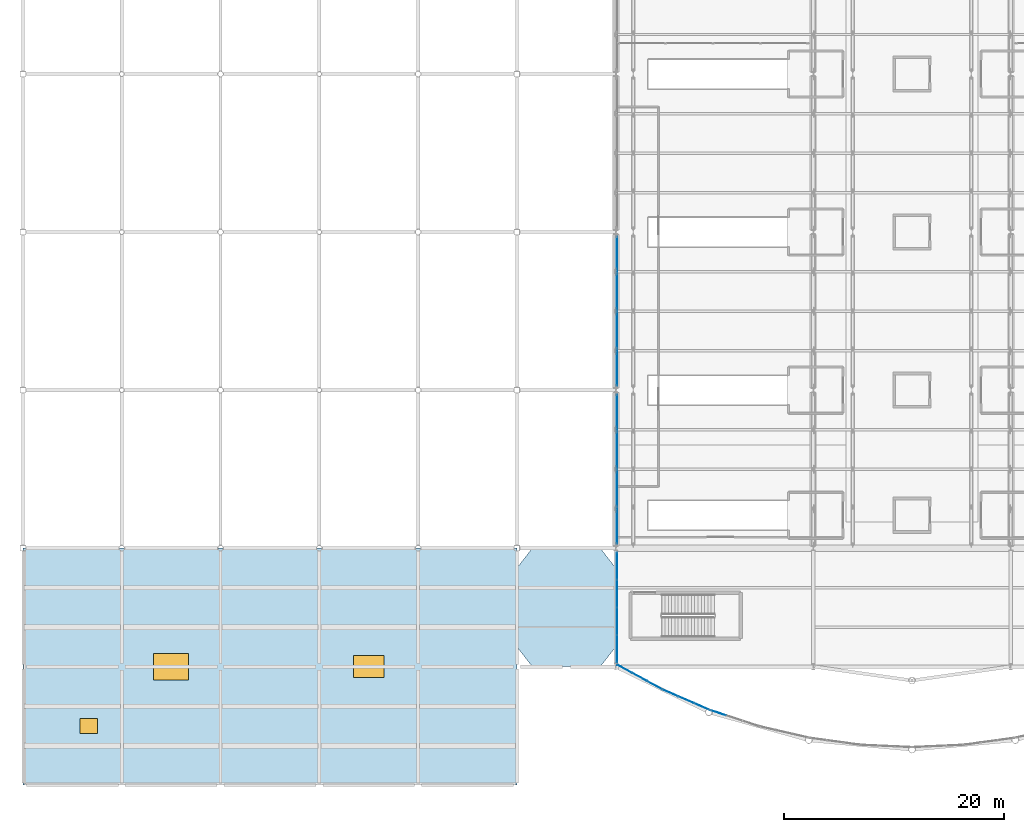
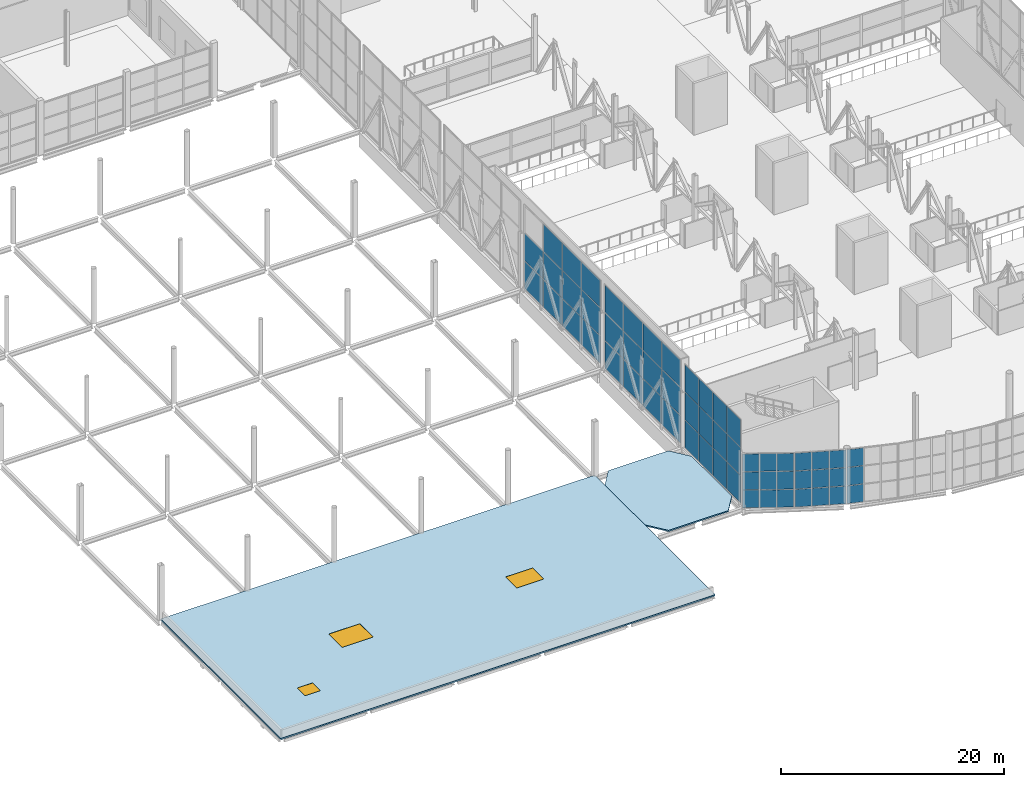
# One storey, part 148 of 191: 56 plates, 3 windows, 2 slabs, 3 openings, 6 elements without a shape of their own.
"""IFC4 building model written with IfcOpenShell, lengths in metres."""

from ifc_helpers import new_model, si_unit, direction, frame, origin, origin_2d, place, context, subcontext, project, spatial, polyline, rectangle, outline, extrude, material, layer, layer_set, type_object, element, fill, aggregate, save


model = new_model("IFC4")

# Units and contexts
model_context = context("Model", 3, precision=1e-05, world=origin(), true_north=direction((0.0, 1.0)))
body_context = subcontext(model_context, "Body", "Model", "MODEL_VIEW")
ifc_project = project(units=[si_unit("LENGTHUNIT", "METRE"), si_unit("AREAUNIT", "SQUARE_METRE"), si_unit("VOLUMEUNIT", "CUBIC_METRE"), si_unit("PLANEANGLEUNIT", "RADIAN"), si_unit("MASSUNIT", "GRAM", prefix="KILO")], contexts=[model_context])

# Site, building, storey
site_placement = place(None, origin())
site = spatial("IfcSite", under=ifc_project, at=site_placement, CompositionType="ELEMENT")
building_placement = place(site_placement, origin())
building = spatial("IfcBuilding", under=site, at=building_placement, Name="Tamarisk Ironworks Central Station", CompositionType="ELEMENT")
storey_placement = place(building_placement, frame((0.0, 0.0, 6.60009765625)))
storey = spatial("IfcBuildingStorey", under=building, at=storey_placement, Name="L01", CompositionType="ELEMENT", Elevation=6.60009765625)

# Curtain wall, plates
ifc_material_1 = material(Name="Anodized aluminium alloy 6063-T6", Category="aluminium")
ifc_layer_1 = layer(ifc_material_1, 0.179931640625)
ifc_layer_set_1 = layer_set([ifc_layer_1], Name="Anodized aluminium alloy 6063-T6")
curtain_wall_type_1 = type_object("IfcCurtainWallType", Name="CW-02", PredefinedType="USERDEFINED", material=ifc_layer_set_1)
curtain_wall_1_placement = place(storey_placement, origin())
curtain_wall_1 = element("IfcCurtainWall", 1, at=curtain_wall_1_placement, inside=storey, type_object=curtain_wall_type_1, Name="SN rounded entrance hall L01 curtain wall bay 01", ObjectType="GLAZED CURTAIN WALL", PredefinedType="USERDEFINED")
ifc_material_2 = material(Name="Laminated solar-control low-E glass", Category="glass")
ifc_layer_2 = layer(ifc_material_2, 0.028076171875)
ifc_layer_set_2 = layer_set([ifc_layer_2], Name="Laminated solar-control low-E glass")
plate_type = type_object("IfcPlateType", Name="PL-CWP28", PredefinedType="CURTAIN_PANEL", material=ifc_layer_set_2)
plate_1_placement = place(storey_placement, frame((54.817626953125, 10.603271484375, -0.3310546875), z_axis=(0.0, 0.0, 1.0), x_axis=(0.877374910495, -0.47980544644, 0.0)))
plate_1 = element("IfcPlate", 2, at=plate_1_placement, type_object=plate_type, Name="CW02 panel 1.1", PredefinedType="CURTAIN_PANEL", context=body_context, shape_type="SweptSolid", body=[
    extrude(rectangle(XDim=1.491943359375, YDim=0.028076171875, at=origin_2d()), origin(), (0.0, 0.0, 1.0), 1.923583984375),
])
plate_2_placement = place(storey_placement, frame((54.817626953125, 10.603271484375, 1.640625), z_axis=(0.0, 0.0, 1.0), x_axis=(0.877374910495, -0.47980544644, 0.0)))
plate_2 = element("IfcPlate", 3, at=plate_2_placement, type_object=plate_type, Name="CW02 panel 1.2", PredefinedType="CURTAIN_PANEL", context=body_context, shape_type="SweptSolid", body=[
    extrude(rectangle(XDim=1.491943359375, YDim=0.028076171875, at=origin_2d()), origin(), (0.0, 0.0, 1.0), 1.95361328125),
])
plate_3_placement = place(storey_placement, frame((54.817626953125, 10.603271484375, 3.64208984375), z_axis=(0.0, 0.0, 1.0), x_axis=(0.877374910495, -0.47980544644, 0.0)))
plate_3 = element("IfcPlate", 4, at=plate_3_placement, type_object=plate_type, Name="CW02 panel 1.3", PredefinedType="CURTAIN_PANEL", context=body_context, shape_type="SweptSolid", body=[
    extrude(rectangle(XDim=1.491943359375, YDim=0.028076171875, at=origin_2d()), origin(), (0.0, 0.0, 1.0), 1.923583984375),
])
plate_4_placement = place(storey_placement, frame((56.181640625, 9.857177734375, -0.3310546875), z_axis=(0.0, 0.0, 1.0), x_axis=(0.877374910495, -0.47980544644, 0.0)))
plate_4 = element("IfcPlate", 5, at=plate_4_placement, type_object=plate_type, Name="CW02 panel 2.1", PredefinedType="CURTAIN_PANEL", context=body_context, shape_type="SweptSolid", body=[
    extrude(rectangle(XDim=1.52197265625, YDim=0.028076171875, at=origin_2d()), origin(), (0.0, 0.0, 1.0), 1.923583984375),
])
plate_5_placement = place(storey_placement, frame((56.181640625, 9.857177734375, 1.640625), z_axis=(0.0, 0.0, 1.0), x_axis=(0.877374910495, -0.47980544644, 0.0)))
plate_5 = element("IfcPlate", 6, at=plate_5_placement, type_object=plate_type, Name="CW02 panel 2.2", PredefinedType="CURTAIN_PANEL", context=body_context, shape_type="SweptSolid", body=[
    extrude(rectangle(XDim=1.52197265625, YDim=0.028076171875, at=origin_2d()), origin(), (0.0, 0.0, 1.0), 1.95361328125),
])
plate_6_placement = place(storey_placement, frame((56.181640625, 9.857177734375, 3.64208984375), z_axis=(0.0, 0.0, 1.0), x_axis=(0.877374910495, -0.47980544644, 0.0)))
plate_6 = element("IfcPlate", 7, at=plate_6_placement, type_object=plate_type, Name="CW02 panel 2.3", PredefinedType="CURTAIN_PANEL", context=body_context, shape_type="SweptSolid", body=[
    extrude(rectangle(XDim=1.52197265625, YDim=0.028076171875, at=origin_2d()), origin(), (0.0, 0.0, 1.0), 1.923583984375),
])
plate_7_placement = place(storey_placement, frame((57.5458984375, 9.111328125, -0.3310546875), z_axis=(0.0, 0.0, 1.0), x_axis=(0.877374910495, -0.47980544644, 0.0)))
plate_7 = element("IfcPlate", 8, at=plate_7_placement, type_object=plate_type, Name="CW02 panel 3.1", PredefinedType="CURTAIN_PANEL", context=body_context, shape_type="SweptSolid", body=[
    extrude(rectangle(XDim=1.491943359375, YDim=0.028076171875, at=origin_2d()), origin(), (0.0, 0.0, 1.0), 1.923583984375),
])
plate_8_placement = place(storey_placement, frame((57.5458984375, 9.111328125, 1.640625), z_axis=(0.0, 0.0, 1.0), x_axis=(0.877374910495, -0.47980544644, 0.0)))
plate_8 = element("IfcPlate", 9, at=plate_8_placement, type_object=plate_type, Name="CW02 panel 3.2", PredefinedType="CURTAIN_PANEL", context=body_context, shape_type="SweptSolid", body=[
    extrude(rectangle(XDim=1.491943359375, YDim=0.028076171875, at=origin_2d()), origin(), (0.0, 0.0, 1.0), 1.95361328125),
])
plate_9_placement = place(storey_placement, frame((57.5458984375, 9.111328125, 3.64208984375), z_axis=(0.0, 0.0, 1.0), x_axis=(0.877374910495, -0.47980544644, 0.0)))
plate_9 = element("IfcPlate", 10, at=plate_9_placement, type_object=plate_type, Name="CW02 panel 3.3", PredefinedType="CURTAIN_PANEL", context=body_context, shape_type="SweptSolid", body=[
    extrude(rectangle(XDim=1.491943359375, YDim=0.028076171875, at=origin_2d()), origin(), (0.0, 0.0, 1.0), 1.923583984375),
])
aggregate(curtain_wall_1, [plate_1, plate_2, plate_3, plate_4, plate_5, plate_6, plate_7, plate_8, plate_9])

curtain_wall_2_placement = place(storey_placement, origin())
curtain_wall_2 = element("IfcCurtainWall", 11, at=curtain_wall_2_placement, inside=storey, type_object=curtain_wall_type_1, Name="SN rounded entrance hall L01 curtain wall bay 02", ObjectType="GLAZED CURTAIN WALL", PredefinedType="USERDEFINED")
plate_10_placement = place(storey_placement, frame((58.981689453125, 8.408935546875, -0.3310546875), z_axis=(0.0, 0.0, 1.0), x_axis=(0.917352033503, -0.398076935564, 0.0)))
plate_10 = element("IfcPlate", 12, at=plate_10_placement, type_object=plate_type, Name="CW02 panel 1.1", PredefinedType="CURTAIN_PANEL", context=body_context, shape_type="SweptSolid", body=[
    extrude(rectangle(XDim=1.491943359375, YDim=0.028076171875, at=origin_2d()), origin(), (0.0, 0.0, 1.0), 1.923583984375),
])
plate_11_placement = place(storey_placement, frame((58.981689453125, 8.408935546875, 1.640625), z_axis=(0.0, 0.0, 1.0), x_axis=(0.917352033503, -0.398076935564, 0.0)))
plate_11 = element("IfcPlate", 13, at=plate_11_placement, type_object=plate_type, Name="CW02 panel 1.2", PredefinedType="CURTAIN_PANEL", context=body_context, shape_type="SweptSolid", body=[
    extrude(rectangle(XDim=1.491943359375, YDim=0.028076171875, at=origin_2d()), origin(), (0.0, 0.0, 1.0), 1.95361328125),
])
plate_12_placement = place(storey_placement, frame((58.981689453125, 8.408935546875, 3.64208984375), z_axis=(0.0, 0.0, 1.0), x_axis=(0.917352033503, -0.398076935564, 0.0)))
plate_12 = element("IfcPlate", 14, at=plate_12_placement, type_object=plate_type, Name="CW02 panel 1.3", PredefinedType="CURTAIN_PANEL", context=body_context, shape_type="SweptSolid", body=[
    extrude(rectangle(XDim=1.491943359375, YDim=0.028076171875, at=origin_2d()), origin(), (0.0, 0.0, 1.0), 1.923583984375),
])
plate_13_placement = place(storey_placement, frame((60.407958984375, 7.7900390625, -0.3310546875), z_axis=(0.0, 0.0, 1.0), x_axis=(0.917352033503, -0.398076935564, 0.0)))
plate_13 = element("IfcPlate", 15, at=plate_13_placement, type_object=plate_type, Name="CW02 panel 2.1", PredefinedType="CURTAIN_PANEL", context=body_context, shape_type="SweptSolid", body=[
    extrude(rectangle(XDim=1.52197265625, YDim=0.028076171875, at=origin_2d()), origin(), (0.0, 0.0, 1.0), 1.923583984375),
])
plate_14_placement = place(storey_placement, frame((60.407958984375, 7.7900390625, 1.640625), z_axis=(0.0, 0.0, 1.0), x_axis=(0.917352033503, -0.398076935564, 0.0)))
plate_14 = element("IfcPlate", 16, at=plate_14_placement, type_object=plate_type, Name="CW02 panel 2.2", PredefinedType="CURTAIN_PANEL", context=body_context, shape_type="SweptSolid", body=[
    extrude(rectangle(XDim=1.52197265625, YDim=0.028076171875, at=origin_2d()), origin(), (0.0, 0.0, 1.0), 1.95361328125),
])
plate_15_placement = place(storey_placement, frame((60.407958984375, 7.7900390625, 3.64208984375), z_axis=(0.0, 0.0, 1.0), x_axis=(0.917352033503, -0.398076935564, 0.0)))
plate_15 = element("IfcPlate", 17, at=plate_15_placement, type_object=plate_type, Name="CW02 panel 2.3", PredefinedType="CURTAIN_PANEL", context=body_context, shape_type="SweptSolid", body=[
    extrude(rectangle(XDim=1.52197265625, YDim=0.028076171875, at=origin_2d()), origin(), (0.0, 0.0, 1.0), 1.923583984375),
])
plate_16_placement = place(storey_placement, frame((61.83447265625, 7.171142578125, -0.3310546875), z_axis=(0.0, 0.0, 1.0), x_axis=(0.917352033503, -0.398076935564, 0.0)))
plate_16 = element("IfcPlate", 18, at=plate_16_placement, type_object=plate_type, Name="CW02 panel 3.1", PredefinedType="CURTAIN_PANEL", context=body_context, shape_type="SweptSolid", body=[
    extrude(rectangle(XDim=1.491943359375, YDim=0.028076171875, at=origin_2d()), origin(), (0.0, 0.0, 1.0), 1.923583984375),
])
plate_17_placement = place(storey_placement, frame((61.83447265625, 7.171142578125, 1.640625), z_axis=(0.0, 0.0, 1.0), x_axis=(0.917352033503, -0.398076935564, 0.0)))
plate_17 = element("IfcPlate", 19, at=plate_17_placement, type_object=plate_type, Name="CW02 panel 3.2", PredefinedType="CURTAIN_PANEL", context=body_context, shape_type="SweptSolid", body=[
    extrude(rectangle(XDim=1.491943359375, YDim=0.028076171875, at=origin_2d()), origin(), (0.0, 0.0, 1.0), 1.95361328125),
])
plate_18_placement = place(storey_placement, frame((61.83447265625, 7.171142578125, 3.64208984375), z_axis=(0.0, 0.0, 1.0), x_axis=(0.917352033503, -0.398076935564, 0.0)))
plate_18 = element("IfcPlate", 20, at=plate_18_placement, type_object=plate_type, Name="CW02 panel 3.3", PredefinedType="CURTAIN_PANEL", context=body_context, shape_type="SweptSolid", body=[
    extrude(rectangle(XDim=1.491943359375, YDim=0.028076171875, at=origin_2d()), origin(), (0.0, 0.0, 1.0), 1.923583984375),
])
aggregate(curtain_wall_2, [plate_10, plate_11, plate_12, plate_13, plate_14, plate_15, plate_16, plate_17, plate_18])

curtain_wall_3_placement = place(storey_placement, origin())
curtain_wall_3 = element("IfcCurtainWall", 21, at=curtain_wall_3_placement, inside=storey, type_object=curtain_wall_type_1, Name="SN rounded entrance hall L01 curtain wall bay 03", ObjectType="GLAZED CURTAIN WALL", PredefinedType="USERDEFINED")
plate_19_placement = place(storey_placement, frame((63.327880859375, 6.60205078125, -0.3310546875), z_axis=(0.0, 0.0, 1.0), x_axis=(0.949720671692, -0.313098460171, 0.0)))
plate_19 = element("IfcPlate", 22, at=plate_19_placement, type_object=plate_type, Name="CW02 panel 1.1", PredefinedType="CURTAIN_PANEL", context=body_context, shape_type="SweptSolid", body=[
    extrude(rectangle(XDim=1.491943359375, YDim=0.028076171875, at=origin_2d()), origin(), (0.0, 0.0, 1.0), 1.923583984375),
])
plate_20_placement = place(storey_placement, frame((63.327880859375, 6.60205078125, 1.640625), z_axis=(0.0, 0.0, 1.0), x_axis=(0.949720671692, -0.313098460171, 0.0)))
plate_20 = element("IfcPlate", 23, at=plate_20_placement, type_object=plate_type, Name="CW02 panel 1.2", PredefinedType="CURTAIN_PANEL", context=body_context, shape_type="SweptSolid", body=[
    extrude(rectangle(XDim=1.491943359375, YDim=0.028076171875, at=origin_2d()), origin(), (0.0, 0.0, 1.0), 1.95361328125),
])
plate_21_placement = place(storey_placement, frame((63.327880859375, 6.60205078125, 3.64208984375), z_axis=(0.0, 0.0, 1.0), x_axis=(0.949720671692, -0.313098460171, 0.0)))
plate_21 = element("IfcPlate", 24, at=plate_21_placement, type_object=plate_type, Name="CW02 panel 1.3", PredefinedType="CURTAIN_PANEL", context=body_context, shape_type="SweptSolid", body=[
    extrude(rectangle(XDim=1.491943359375, YDim=0.028076171875, at=origin_2d()), origin(), (0.0, 0.0, 1.0), 1.923583984375),
])
aggregate(curtain_wall_3, [plate_19, plate_20, plate_21])

ifc_layer_3 = layer(ifc_material_1, 0.179931640625)
ifc_layer_set_3 = layer_set([ifc_layer_3], Name="Anodized aluminium alloy 6063-T6")
curtain_wall_type_2 = type_object("IfcCurtainWallType", Name="CW-05", PredefinedType="USERDEFINED", material=ifc_layer_set_3)
curtain_wall_4_placement = place(storey_placement, origin())
curtain_wall_4 = element("IfcCurtainWall", 25, at=curtain_wall_4_placement, inside=storey, type_object=curtain_wall_type_2, Name="Concourse W track-overlook curtain wall 01", ObjectType="GLAZED CURTAIN WALL", PredefinedType="USERDEFINED")
plate_22_placement = place(storey_placement, frame((54.1201171875, 12.427490234375, 0.0537109375), z_axis=(0.0, 0.0, 1.0), x_axis=(0.0, 1.0, 0.0)))
plate_22 = element("IfcPlate", 26, at=plate_22_placement, type_object=plate_type, Name="CW05 panel 1.1", PredefinedType="CURTAIN_PANEL", context=body_context, shape_type="SweptSolid", body=[
    extrude(rectangle(XDim=2.447021484375, YDim=0.028076171875, at=origin_2d()), origin(), (0.0, 0.0, 1.0), 2.995361328125),
])
plate_23_placement = place(storey_placement, frame((54.1201171875, 12.427490234375, 3.09716796875), z_axis=(0.0, 0.0, 1.0), x_axis=(0.0, 1.0, 0.0)))
plate_23 = element("IfcPlate", 27, at=plate_23_placement, type_object=plate_type, Name="CW05 panel 1.2", PredefinedType="CURTAIN_PANEL", context=body_context, shape_type="SweptSolid", body=[
    extrude(rectangle(XDim=2.447021484375, YDim=0.028076171875, at=origin_2d()), origin(), (0.0, 0.0, 1.0), 3.025390625),
])
plate_24_placement = place(storey_placement, frame((54.1201171875, 12.427490234375, 6.17041015625), z_axis=(0.0, 0.0, 1.0), x_axis=(0.0, 1.0, 0.0)))
plate_24 = element("IfcPlate", 28, at=plate_24_placement, type_object=plate_type, Name="CW05 panel 1.3", PredefinedType="CURTAIN_PANEL", context=body_context, shape_type="SweptSolid", body=[
    extrude(rectangle(XDim=2.447021484375, YDim=0.028076171875, at=origin_2d()), origin(), (0.0, 0.0, 1.0), 2.995361328125),
])
plate_25_placement = place(storey_placement, frame((54.1201171875, 14.9375, 0.0537109375), z_axis=(0.0, 0.0, 1.0), x_axis=(0.0, 1.0, 0.0)))
plate_25 = element("IfcPlate", 29, at=plate_25_placement, type_object=plate_type, Name="CW05 panel 2.1", PredefinedType="CURTAIN_PANEL", context=body_context, shape_type="SweptSolid", body=[
    extrude(rectangle(XDim=2.47705078125, YDim=0.028076171875, at=origin_2d()), origin(), (0.0, 0.0, 1.0), 2.995361328125),
])
plate_26_placement = place(storey_placement, frame((54.1201171875, 14.9375, 3.09716796875), z_axis=(0.0, 0.0, 1.0), x_axis=(0.0, 1.0, 0.0)))
plate_26 = element("IfcPlate", 30, at=plate_26_placement, type_object=plate_type, Name="CW05 panel 2.2", PredefinedType="CURTAIN_PANEL", context=body_context, shape_type="SweptSolid", body=[
    extrude(rectangle(XDim=2.47705078125, YDim=0.028076171875, at=origin_2d()), origin(), (0.0, 0.0, 1.0), 3.025390625),
])
plate_27_placement = place(storey_placement, frame((54.1201171875, 14.9375, 6.17041015625), z_axis=(0.0, 0.0, 1.0), x_axis=(0.0, 1.0, 0.0)))
plate_27 = element("IfcPlate", 31, at=plate_27_placement, type_object=plate_type, Name="CW05 panel 2.3", PredefinedType="CURTAIN_PANEL", context=body_context, shape_type="SweptSolid", body=[
    extrude(rectangle(XDim=2.47705078125, YDim=0.028076171875, at=origin_2d()), origin(), (0.0, 0.0, 1.0), 2.995361328125),
])
plate_28_placement = place(storey_placement, frame((54.1201171875, 17.46240234375, 0.0537109375), z_axis=(0.0, 0.0, 1.0), x_axis=(0.0, 1.0, 0.0)))
plate_28 = element("IfcPlate", 32, at=plate_28_placement, type_object=plate_type, Name="CW05 panel 3.1", PredefinedType="CURTAIN_PANEL", context=body_context, shape_type="SweptSolid", body=[
    extrude(rectangle(XDim=2.47705078125, YDim=0.028076171875, at=origin_2d()), origin(), (0.0, 0.0, 1.0), 2.995361328125),
])
plate_29_placement = place(storey_placement, frame((54.1201171875, 17.46240234375, 3.09716796875), z_axis=(0.0, 0.0, 1.0), x_axis=(0.0, 1.0, 0.0)))
plate_29 = element("IfcPlate", 33, at=plate_29_placement, type_object=plate_type, Name="CW05 panel 3.2", PredefinedType="CURTAIN_PANEL", context=body_context, shape_type="SweptSolid", body=[
    extrude(rectangle(XDim=2.47705078125, YDim=0.028076171875, at=origin_2d()), origin(), (0.0, 0.0, 1.0), 3.025390625),
])
plate_30_placement = place(storey_placement, frame((54.1201171875, 17.46240234375, 6.17041015625), z_axis=(0.0, 0.0, 1.0), x_axis=(0.0, 1.0, 0.0)))
plate_30 = element("IfcPlate", 34, at=plate_30_placement, type_object=plate_type, Name="CW05 panel 3.3", PredefinedType="CURTAIN_PANEL", context=body_context, shape_type="SweptSolid", body=[
    extrude(rectangle(XDim=2.47705078125, YDim=0.028076171875, at=origin_2d()), origin(), (0.0, 0.0, 1.0), 2.995361328125),
])
plate_31_placement = place(storey_placement, frame((54.1201171875, 19.972412109375, 0.0537109375), z_axis=(0.0, 0.0, 1.0), x_axis=(0.0, 1.0, 0.0)))
plate_31 = element("IfcPlate", 35, at=plate_31_placement, type_object=plate_type, Name="CW05 panel 4.1", PredefinedType="CURTAIN_PANEL", context=body_context, shape_type="SweptSolid", body=[
    extrude(rectangle(XDim=2.447021484375, YDim=0.028076171875, at=origin_2d()), origin(), (0.0, 0.0, 1.0), 2.995361328125),
])
plate_32_placement = place(storey_placement, frame((54.1201171875, 19.972412109375, 3.09716796875), z_axis=(0.0, 0.0, 1.0), x_axis=(0.0, 1.0, 0.0)))
plate_32 = element("IfcPlate", 36, at=plate_32_placement, type_object=plate_type, Name="CW05 panel 4.2", PredefinedType="CURTAIN_PANEL", context=body_context, shape_type="SweptSolid", body=[
    extrude(rectangle(XDim=2.447021484375, YDim=0.028076171875, at=origin_2d()), origin(), (0.0, 0.0, 1.0), 3.025390625),
])
plate_33_placement = place(storey_placement, frame((54.1201171875, 19.972412109375, 6.17041015625), z_axis=(0.0, 0.0, 1.0), x_axis=(0.0, 1.0, 0.0)))
plate_33 = element("IfcPlate", 37, at=plate_33_placement, type_object=plate_type, Name="CW05 panel 4.3", PredefinedType="CURTAIN_PANEL", context=body_context, shape_type="SweptSolid", body=[
    extrude(rectangle(XDim=2.447021484375, YDim=0.028076171875, at=origin_2d()), origin(), (0.0, 0.0, 1.0), 2.995361328125),
])
aggregate(curtain_wall_4, [plate_22, plate_23, plate_24, plate_25, plate_26, plate_27, plate_28, plate_29, plate_30, plate_31, plate_32, plate_33])

ifc_layer_4 = layer(ifc_material_1, 0.179931640625)
ifc_layer_set_4 = layer_set([ifc_layer_4], Name="Anodized aluminium alloy 6063-T6")
curtain_wall_type_3 = type_object("IfcCurtainWallType", Name="CW-06", PredefinedType="USERDEFINED", material=ifc_layer_set_4)
curtain_wall_5_placement = place(storey_placement, origin())
curtain_wall_5 = element("IfcCurtainWall", 38, at=curtain_wall_5_placement, inside=storey, type_object=curtain_wall_type_3, Name="Concourse W track-overlook curtain wall 02", ObjectType="GLAZED CURTAIN WALL", PredefinedType="USERDEFINED")
plate_34_placement = place(storey_placement, frame((54.1201171875, 23.68115234375, 0.06884765625), z_axis=(0.0, 0.0, 1.0), x_axis=(0.0, 1.0, 0.0)))
plate_34 = element("IfcPlate", 39, at=plate_34_placement, type_object=plate_type, Name="CW06 panel 1.1", PredefinedType="CURTAIN_PANEL", context=body_context, shape_type="SweptSolid", body=[
    extrude(rectangle(XDim=3.324462890625, YDim=0.028076171875, at=origin_2d()), origin(), (0.0, 0.0, 1.0), 2.972900390625),
])
plate_35_placement = place(storey_placement, frame((54.1201171875, 23.68115234375, 3.1044921875), z_axis=(0.0, 0.0, 1.0), x_axis=(0.0, 1.0, 0.0)))
plate_35 = element("IfcPlate", 40, at=plate_35_placement, type_object=plate_type, Name="CW06 panel 1.2", PredefinedType="CURTAIN_PANEL", context=body_context, shape_type="SweptSolid", body=[
    extrude(rectangle(XDim=3.324462890625, YDim=0.028076171875, at=origin_2d()), origin(), (0.0, 0.0, 1.0), 3.010498046875),
])
plate_36_placement = place(storey_placement, frame((54.1201171875, 23.68115234375, 6.17822265625), z_axis=(0.0, 0.0, 1.0), x_axis=(0.0, 1.0, 0.0)))
plate_36 = element("IfcPlate", 41, at=plate_36_placement, type_object=plate_type, Name="CW06 panel 1.3", PredefinedType="CURTAIN_PANEL", context=body_context, shape_type="SweptSolid", body=[
    extrude(rectangle(XDim=3.324462890625, YDim=0.028076171875, at=origin_2d()), origin(), (0.0, 0.0, 1.0), 2.972900390625),
])
plate_37_placement = place(storey_placement, frame((54.1201171875, 27.08740234375, 0.06884765625), z_axis=(0.0, 0.0, 1.0), x_axis=(0.0, 1.0, 0.0)))
plate_37 = element("IfcPlate", 42, at=plate_37_placement, type_object=plate_type, Name="CW06 panel 2.1", PredefinedType="CURTAIN_PANEL", context=body_context, shape_type="SweptSolid", body=[
    extrude(rectangle(XDim=3.362060546875, YDim=0.028076171875, at=origin_2d()), origin(), (0.0, 0.0, 1.0), 2.972900390625),
])
plate_38_placement = place(storey_placement, frame((54.1201171875, 27.08740234375, 3.1044921875), z_axis=(0.0, 0.0, 1.0), x_axis=(0.0, 1.0, 0.0)))
plate_38 = element("IfcPlate", 43, at=plate_38_placement, type_object=plate_type, Name="CW06 panel 2.2", PredefinedType="CURTAIN_PANEL", context=body_context, shape_type="SweptSolid", body=[
    extrude(rectangle(XDim=3.362060546875, YDim=0.028076171875, at=origin_2d()), origin(), (0.0, 0.0, 1.0), 3.010498046875),
])
plate_39_placement = place(storey_placement, frame((54.1201171875, 27.08740234375, 6.17822265625), z_axis=(0.0, 0.0, 1.0), x_axis=(0.0, 1.0, 0.0)))
plate_39 = element("IfcPlate", 44, at=plate_39_placement, type_object=plate_type, Name="CW06 panel 2.3", PredefinedType="CURTAIN_PANEL", context=body_context, shape_type="SweptSolid", body=[
    extrude(rectangle(XDim=3.362060546875, YDim=0.028076171875, at=origin_2d()), origin(), (0.0, 0.0, 1.0), 2.972900390625),
])
plate_40_placement = place(storey_placement, frame((54.1201171875, 30.512451171875, 0.06884765625), z_axis=(0.0, 0.0, 1.0), x_axis=(0.0, 1.0, 0.0)))
plate_40 = element("IfcPlate", 45, at=plate_40_placement, type_object=plate_type, Name="CW06 panel 3.1", PredefinedType="CURTAIN_PANEL", context=body_context, shape_type="SweptSolid", body=[
    extrude(rectangle(XDim=3.362060546875, YDim=0.028076171875, at=origin_2d()), origin(), (0.0, 0.0, 1.0), 2.972900390625),
])
plate_41_placement = place(storey_placement, frame((54.1201171875, 30.512451171875, 3.1044921875), z_axis=(0.0, 0.0, 1.0), x_axis=(0.0, 1.0, 0.0)))
plate_41 = element("IfcPlate", 46, at=plate_41_placement, type_object=plate_type, Name="CW06 panel 3.2", PredefinedType="CURTAIN_PANEL", context=body_context, shape_type="SweptSolid", body=[
    extrude(rectangle(XDim=3.362060546875, YDim=0.028076171875, at=origin_2d()), origin(), (0.0, 0.0, 1.0), 3.010498046875),
])
plate_42_placement = place(storey_placement, frame((54.1201171875, 30.512451171875, 6.17822265625), z_axis=(0.0, 0.0, 1.0), x_axis=(0.0, 1.0, 0.0)))
plate_42 = element("IfcPlate", 47, at=plate_42_placement, type_object=plate_type, Name="CW06 panel 3.3", PredefinedType="CURTAIN_PANEL", context=body_context, shape_type="SweptSolid", body=[
    extrude(rectangle(XDim=3.362060546875, YDim=0.028076171875, at=origin_2d()), origin(), (0.0, 0.0, 1.0), 2.972900390625),
])
plate_43_placement = place(storey_placement, frame((54.1201171875, 33.918701171875, 0.06884765625), z_axis=(0.0, 0.0, 1.0), x_axis=(0.0, 1.0, 0.0)))
plate_43 = element("IfcPlate", 48, at=plate_43_placement, type_object=plate_type, Name="CW06 panel 4.1", PredefinedType="CURTAIN_PANEL", context=body_context, shape_type="SweptSolid", body=[
    extrude(rectangle(XDim=3.324462890625, YDim=0.028076171875, at=origin_2d()), origin(), (0.0, 0.0, 1.0), 2.972900390625),
])
plate_44_placement = place(storey_placement, frame((54.1201171875, 33.918701171875, 3.1044921875), z_axis=(0.0, 0.0, 1.0), x_axis=(0.0, 1.0, 0.0)))
plate_44 = element("IfcPlate", 49, at=plate_44_placement, type_object=plate_type, Name="CW06 panel 4.2", PredefinedType="CURTAIN_PANEL", context=body_context, shape_type="SweptSolid", body=[
    extrude(rectangle(XDim=3.324462890625, YDim=0.028076171875, at=origin_2d()), origin(), (0.0, 0.0, 1.0), 3.010498046875),
])
plate_45_placement = place(storey_placement, frame((54.1201171875, 33.918701171875, 6.17822265625), z_axis=(0.0, 0.0, 1.0), x_axis=(0.0, 1.0, 0.0)))
plate_45 = element("IfcPlate", 50, at=plate_45_placement, type_object=plate_type, Name="CW06 panel 4.3", PredefinedType="CURTAIN_PANEL", context=body_context, shape_type="SweptSolid", body=[
    extrude(rectangle(XDim=3.324462890625, YDim=0.028076171875, at=origin_2d()), origin(), (0.0, 0.0, 1.0), 2.972900390625),
])
aggregate(curtain_wall_5, [plate_34, plate_35, plate_36, plate_37, plate_38, plate_39, plate_40, plate_41, plate_42, plate_43, plate_44, plate_45])

curtain_wall_6_placement = place(storey_placement, origin())
curtain_wall_6 = element("IfcCurtainWall", 51, at=curtain_wall_6_placement, inside=storey, type_object=curtain_wall_type_3, Name="Concourse W track-overlook curtain wall 03", ObjectType="GLAZED CURTAIN WALL", PredefinedType="USERDEFINED")
plate_46_placement = place(storey_placement, frame((54.1201171875, 38.081298828125, 0.06884765625), z_axis=(0.0, 0.0, 1.0), x_axis=(0.0, 1.0, 0.0)))
plate_46 = element("IfcPlate", 52, at=plate_46_placement, type_object=plate_type, Name="CW06 panel 1.1", PredefinedType="CURTAIN_PANEL", context=body_context, shape_type="SweptSolid", body=[
    extrude(rectangle(XDim=3.324462890625, YDim=0.028076171875, at=origin_2d()), origin(), (0.0, 0.0, 1.0), 2.972900390625),
])
plate_47_placement = place(storey_placement, frame((54.1201171875, 38.081298828125, 3.1044921875), z_axis=(0.0, 0.0, 1.0), x_axis=(0.0, 1.0, 0.0)))
plate_47 = element("IfcPlate", 53, at=plate_47_placement, type_object=plate_type, Name="CW06 panel 1.2", PredefinedType="CURTAIN_PANEL", context=body_context, shape_type="SweptSolid", body=[
    extrude(rectangle(XDim=3.324462890625, YDim=0.028076171875, at=origin_2d()), origin(), (0.0, 0.0, 1.0), 3.010498046875),
])
plate_48_placement = place(storey_placement, frame((54.1201171875, 38.081298828125, 6.17822265625), z_axis=(0.0, 0.0, 1.0), x_axis=(0.0, 1.0, 0.0)))
plate_48 = element("IfcPlate", 54, at=plate_48_placement, type_object=plate_type, Name="CW06 panel 1.3", PredefinedType="CURTAIN_PANEL", context=body_context, shape_type="SweptSolid", body=[
    extrude(rectangle(XDim=3.324462890625, YDim=0.028076171875, at=origin_2d()), origin(), (0.0, 0.0, 1.0), 2.972900390625),
])
plate_49_placement = place(storey_placement, frame((54.1201171875, 41.487548828125, 0.06884765625), z_axis=(0.0, 0.0, 1.0), x_axis=(0.0, 1.0, 0.0)))
plate_49 = element("IfcPlate", 55, at=plate_49_placement, type_object=plate_type, Name="CW06 panel 2.1", PredefinedType="CURTAIN_PANEL", context=body_context, shape_type="SweptSolid", body=[
    extrude(rectangle(XDim=3.362060546875, YDim=0.028076171875, at=origin_2d()), origin(), (0.0, 0.0, 1.0), 2.972900390625),
])
plate_50_placement = place(storey_placement, frame((54.1201171875, 41.487548828125, 3.1044921875), z_axis=(0.0, 0.0, 1.0), x_axis=(0.0, 1.0, 0.0)))
plate_50 = element("IfcPlate", 56, at=plate_50_placement, type_object=plate_type, Name="CW06 panel 2.2", PredefinedType="CURTAIN_PANEL", context=body_context, shape_type="SweptSolid", body=[
    extrude(rectangle(XDim=3.362060546875, YDim=0.028076171875, at=origin_2d()), origin(), (0.0, 0.0, 1.0), 3.010498046875),
])
plate_51_placement = place(storey_placement, frame((54.1201171875, 41.487548828125, 6.17822265625), z_axis=(0.0, 0.0, 1.0), x_axis=(0.0, 1.0, 0.0)))
plate_51 = element("IfcPlate", 57, at=plate_51_placement, type_object=plate_type, Name="CW06 panel 2.3", PredefinedType="CURTAIN_PANEL", context=body_context, shape_type="SweptSolid", body=[
    extrude(rectangle(XDim=3.362060546875, YDim=0.028076171875, at=origin_2d()), origin(), (0.0, 0.0, 1.0), 2.972900390625),
])
plate_52_placement = place(storey_placement, frame((54.1201171875, 44.91259765625, 0.06884765625), z_axis=(0.0, 0.0, 1.0), x_axis=(0.0, 1.0, 0.0)))
plate_52 = element("IfcPlate", 58, at=plate_52_placement, type_object=plate_type, Name="CW06 panel 3.1", PredefinedType="CURTAIN_PANEL", context=body_context, shape_type="SweptSolid", body=[
    extrude(rectangle(XDim=3.362060546875, YDim=0.028076171875, at=origin_2d()), origin(), (0.0, 0.0, 1.0), 2.972900390625),
])
plate_53_placement = place(storey_placement, frame((54.1201171875, 44.91259765625, 3.1044921875), z_axis=(0.0, 0.0, 1.0), x_axis=(0.0, 1.0, 0.0)))
plate_53 = element("IfcPlate", 59, at=plate_53_placement, type_object=plate_type, Name="CW06 panel 3.2", PredefinedType="CURTAIN_PANEL", context=body_context, shape_type="SweptSolid", body=[
    extrude(rectangle(XDim=3.362060546875, YDim=0.028076171875, at=origin_2d()), origin(), (0.0, 0.0, 1.0), 3.010498046875),
])
plate_54_placement = place(storey_placement, frame((54.1201171875, 44.91259765625, 6.17822265625), z_axis=(0.0, 0.0, 1.0), x_axis=(0.0, 1.0, 0.0)))
plate_54 = element("IfcPlate", 60, at=plate_54_placement, type_object=plate_type, Name="CW06 panel 3.3", PredefinedType="CURTAIN_PANEL", context=body_context, shape_type="SweptSolid", body=[
    extrude(rectangle(XDim=3.362060546875, YDim=0.028076171875, at=origin_2d()), origin(), (0.0, 0.0, 1.0), 2.972900390625),
])
plate_55_placement = place(storey_placement, frame((54.1201171875, 48.31884765625, 0.06884765625), z_axis=(0.0, 0.0, 1.0), x_axis=(0.0, 1.0, 0.0)))
plate_55 = element("IfcPlate", 61, at=plate_55_placement, type_object=plate_type, Name="CW06 panel 4.1", PredefinedType="CURTAIN_PANEL", context=body_context, shape_type="SweptSolid", body=[
    extrude(rectangle(XDim=3.324462890625, YDim=0.028076171875, at=origin_2d()), origin(), (0.0, 0.0, 1.0), 2.972900390625),
])
plate_56_placement = place(storey_placement, frame((54.1201171875, 48.31884765625, 3.1044921875), z_axis=(0.0, 0.0, 1.0), x_axis=(0.0, 1.0, 0.0)))
plate_56 = element("IfcPlate", 62, at=plate_56_placement, type_object=plate_type, Name="CW06 panel 4.2", PredefinedType="CURTAIN_PANEL", context=body_context, shape_type="SweptSolid", body=[
    extrude(rectangle(XDim=3.324462890625, YDim=0.028076171875, at=origin_2d()), origin(), (0.0, 0.0, 1.0), 3.010498046875),
])
aggregate(curtain_wall_6, [plate_46, plate_47, plate_48, plate_49, plate_50, plate_51, plate_52, plate_53, plate_54, plate_55, plate_56])

# Slab
ifc_material_3 = material(Name="Precast concrete C45/55", Category="concrete")
ifc_layer_5 = layer(ifc_material_3, 0.139892578125)
ifc_layer_set_5 = layer_set([ifc_layer_5], Name="Precast concrete C45/55")
slab_type_1 = type_object("IfcSlabType", Name="SL-CN140", PredefinedType="ROOF", material=ifc_layer_set_5)
slab_1_placement = place(storey_placement, frame((0.0, 0.0, -0.14013671875)))
element("IfcSlab", 63, at=slab_1_placement, inside=storey, type_object=slab_type_1, Name="Forecourt Canopy Roof Slab CN-SW", PredefinedType="ROOF", context=body_context, shape_type="SweptSolid", body=[
    extrude(outline(polyline([(46.39990234375, 10.800048828125), (52.60009765625, 10.800048828125), (54.0, 12.60009765625), (54.0, 19.800048828125), (52.60009765625, 21.60009765625), (46.39990234375, 21.60009765625), (45.0, 19.800048828125), (45.0, 12.60009765625), (46.39990234375, 10.800048828125)])), origin(), (0.0, 0.0, 1.0), 0.14013671875),
])

# Slab, openings, windows
ifc_material_4 = material(Name="Concrete C35/45", Category="concrete")
ifc_layer_6 = layer(ifc_material_4, 0.159912109375)
ifc_layer_set_6 = layer_set([ifc_layer_6], Name="Concrete C35/45")
slab_type_2 = type_object("IfcSlabType", Name="SL-RF160", PredefinedType="ROOF", material=ifc_layer_set_6)
slab_2_placement = place(storey_placement, frame((0.0, 0.0, -0.16015625)))
slab_2 = element("IfcSlab", 64, at=slab_2_placement, inside=storey, type_object=slab_type_2, Name="L01 Low Wing Roof Slab V1B-RF", PredefinedType="ROOF", context=body_context, shape_type="SweptSolid", body=[
    extrude(outline(polyline([(0.0, 0.0), (45.0, 0.0), (45.0, 21.60009765625), (0.0, 21.60009765625), (0.0, 0.0)])), origin(), (0.0, 0.0, 1.0), 0.16015625),
])
opening_1_placement = place(slab_2_placement, frame((13.5, 10.800048828125, 0.0)))
opening_1 = element("IfcOpeningElement", 65, at=opening_1_placement, cuts=slab_2, Name="Opening SK01", PredefinedType="OPENING", context=body_context, shape_type="SweptSolid", body=[
    extrude(rectangle(XDim=3.199951171875, YDim=2.39990234375, at=origin_2d()), frame((0.0, 0.0, -0.011962890625)), (0.0, 0.0, 1.0), 0.18408203125),
])
opening_2_placement = place(slab_2_placement, frame((31.5, 10.800048828125, 0.0)))
opening_2 = element("IfcOpeningElement", 66, at=opening_2_placement, cuts=slab_2, Name="Opening SK02", PredefinedType="OPENING", context=body_context, shape_type="SweptSolid", body=[
    extrude(rectangle(XDim=2.800048828125, YDim=2.0, at=origin_2d()), frame((0.0, 0.0, -0.011962890625)), (0.0, 0.0, 1.0), 0.18408203125),
])
opening_3_placement = place(slab_2_placement, frame((6.0, 5.39990234375, 0.0)))
opening_3 = element("IfcOpeningElement", 67, at=opening_3_placement, cuts=slab_2, Name="Opening RH01", PredefinedType="OPENING", context=body_context, shape_type="SweptSolid", body=[
    extrude(rectangle(XDim=1.60009765625, YDim=1.39990234375, at=origin_2d()), frame((0.0, 0.0, -0.011962890625)), (0.0, 0.0, 1.0), 0.18408203125),
])
window_type_1 = type_object("IfcWindowType", Name="SK-01", PartitioningType="SINGLE_PANEL", PredefinedType="SKYLIGHT", material=ifc_material_2)
window_1_placement = place(opening_1_placement, frame((0.0, 0.0, 0.105224609375)))
window_1 = element("IfcWindow", 68, at=window_1_placement, inside=storey, type_object=window_type_1, Name="L01 roof skylight 001", OverallHeight=2.39990234375, OverallWidth=3.199951171875, PartitioningType="SINGLE_PANEL", PredefinedType="SKYLIGHT", context=body_context, shape_type="SweptSolid", body=[
    extrude(rectangle(XDim=3.199951171875, YDim=2.39990234375, at=origin_2d()), origin(), (0.0, 0.0, 1.0), 0.050048828125),
])
fill(opening_1, window_1)
window_type_2 = type_object("IfcWindowType", Name="SK-02", PartitioningType="SINGLE_PANEL", PredefinedType="SKYLIGHT", material=ifc_material_2)
window_2_placement = place(opening_2_placement, frame((0.0, 0.0, 0.105224609375)))
window_2 = element("IfcWindow", 69, at=window_2_placement, inside=storey, type_object=window_type_2, Name="L01 roof skylight 002", OverallHeight=2.0, OverallWidth=2.800048828125, PartitioningType="SINGLE_PANEL", PredefinedType="SKYLIGHT", context=body_context, shape_type="SweptSolid", body=[
    extrude(rectangle(XDim=2.800048828125, YDim=2.0, at=origin_2d()), origin(), (0.0, 0.0, 1.0), 0.050048828125),
])
fill(opening_2, window_2)
window_type_3 = type_object("IfcWindowType", Name="SK-05", PartitioningType="SINGLE_PANEL", PredefinedType="USERDEFINED", material=ifc_material_2)
window_3_placement = place(opening_3_placement, frame((0.0, 0.0, 0.105224609375)))
window_3 = element("IfcWindow", 70, at=window_3_placement, inside=storey, type_object=window_type_3, Name="L01 roof access hatch 003", ObjectType="ROOF HATCH", OverallHeight=1.39990234375, OverallWidth=1.60009765625, PartitioningType="SINGLE_PANEL", PredefinedType="USERDEFINED", context=body_context, shape_type="SweptSolid", body=[
    extrude(rectangle(XDim=1.60009765625, YDim=1.39990234375, at=origin_2d()), origin(), (0.0, 0.0, 1.0), 0.050048828125),
])
fill(opening_3, window_3)

save(model, "model.ifc")
